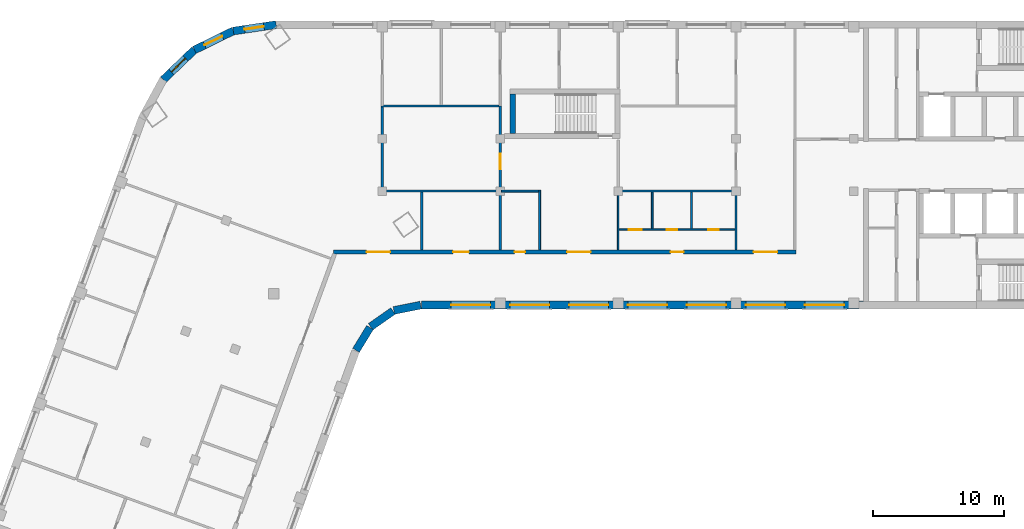
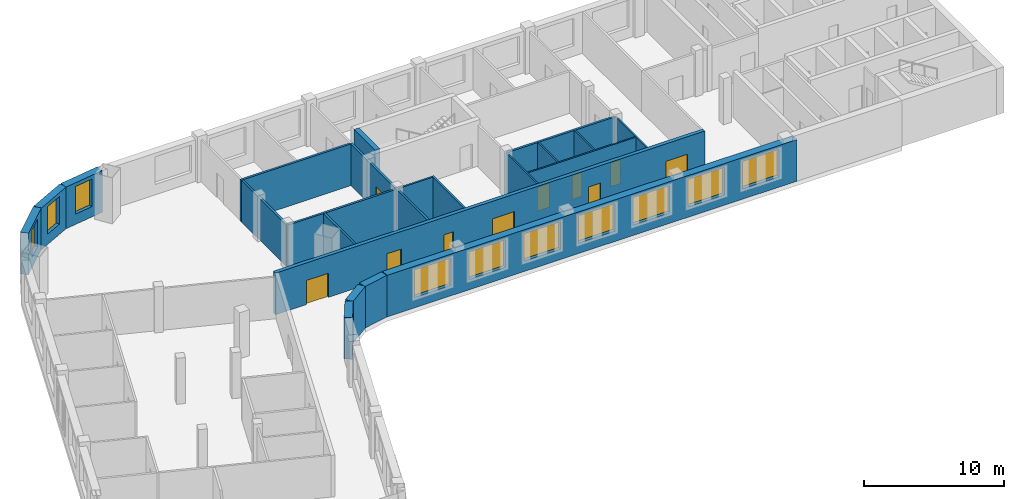
# One storey, part 4 of 8: 22 walls, 10 doors, 10 windows, 20 openings.
"""IFC4 building model written with IfcOpenShell, lengths in metres."""

import ifcopenshell
import ifcopenshell.guid

model = None  # the IFC model being written
_history = None  # IfcOwnerHistory: only IFC2X3 demands one
_inside = {}  # id of a spatial element -> (the spatial element, [elements in it])
_under = {}  # id of a project, library or spatial element -> (it, [spatial elements below it])
_declared = {}  # id of a project -> (the project, [libraries it declares])
_typed = {}  # id of a type object -> (the type object, [elements of that type])
_made_of = {}  # id of a material, layer set ... -> (it, [elements and type objects made of it])


def new_model(schema):
    """Start an empty IFC model of exactly this schema.

    Asked for "IFC4X3", IfcOpenShell would pick the latest addendum, in which some entities
    have other attributes; the version numbers below select the first issue.
    IFC2X3 requires an IfcOwnerHistory on every rooted entity: one is made here for all.
    """
    global model, _history
    if schema == "IFC4X3":
        model = ifcopenshell.file(schema_version=(4, 3, 0, 0))
    else:
        model = ifcopenshell.file(schema=schema)
    _inside.clear()
    _under.clear()
    _declared.clear()
    _typed.clear()
    _made_of.clear()
    _history = None
    if model.schema == "IFC2X3":
        org = make("IfcOrganization", Name="unknown")
        user = make(
            "IfcPersonAndOrganization",
            ThePerson=make("IfcPerson", FamilyName="unknown"),
            TheOrganization=org,
        )
        app = make(
            "IfcApplication",
            ApplicationDeveloper=org,
            Version="unknown",
            ApplicationFullName="unknown",
            ApplicationIdentifier="unknown",
        )
        _history = make(
            "IfcOwnerHistory",
            OwningUser=user,
            OwningApplication=app,
            ChangeAction="ADDED",
            CreationDate=0,
        )
    return model


def make(cls, **values):
    """One entity of the class cls with the attributes given. An attribute that is None is left unset."""
    return model.create_entity(
        cls, **{name: value for name, value in values.items() if value is not None}
    )


def rooted(cls, **values):
    """An entity with a GlobalId (a new one), such as an element, a storey or a relation."""
    return make(cls, GlobalId=ifcopenshell.guid.new(), OwnerHistory=_history, **values)


def si_unit(unit_type, name, prefix=None):
    """IfcSIUnit, for example si_unit("LENGTHUNIT", "METRE", prefix="MILLI")."""
    return make("IfcSIUnit", UnitType=unit_type, Prefix=prefix, Name=name)


def assignment(units):
    """IfcUnitAssignment: the units of a project."""
    return None if units is None else make("IfcUnitAssignment", Units=units)


def point(xyz):
    """IfcCartesianPoint."""
    return None if xyz is None else make("IfcCartesianPoint", Coordinates=xyz)


def direction(xyz):
    """IfcDirection."""
    return None if xyz is None else make("IfcDirection", DirectionRatios=xyz)


def frame(location, z_axis=None, x_axis=None):
    """IfcAxis2Placement3D, a coordinate frame: its origin and axes. An axis left out is left unset."""
    return make(
        "IfcAxis2Placement3D",
        Location=point(location),
        Axis=direction(z_axis),
        RefDirection=direction(x_axis),
    )


def frame_2d(location, x_axis=None):
    """IfcAxis2Placement2D, a coordinate frame in the plane: its origin and x axis."""
    return make(
        "IfcAxis2Placement2D", Location=point(location), RefDirection=direction(x_axis)
    )


def origin():
    """The frame at (0, 0, 0) with its axes left unset."""
    return frame((0.0, 0.0, 0.0))


def place(relative_to, where):
    """IfcLocalPlacement: puts the frame where relative to a parent placement (None: the world)."""
    return make(
        "IfcLocalPlacement", PlacementRelTo=relative_to, RelativePlacement=where
    )


def context(
    kind, dimensions, precision=None, world=None, true_north=None, identifier=None
):
    """IfcGeometricRepresentationContext, for example the 3D "Model" context."""
    return make(
        "IfcGeometricRepresentationContext",
        ContextIdentifier=identifier,
        ContextType=kind,
        CoordinateSpaceDimension=dimensions,
        Precision=precision,
        WorldCoordinateSystem=world,
        TrueNorth=true_north,
    )


def subcontext(parent, identifier, kind, view, scale=None):
    """IfcGeometricRepresentationSubContext, for example "Body" below "Model"."""
    return make(
        "IfcGeometricRepresentationSubContext",
        ContextIdentifier=identifier,
        ContextType=kind,
        ParentContext=parent,
        TargetScale=scale,
        TargetView=view,
    )


def project(units=None, contexts=None):
    """IfcProject with its units and contexts."""
    return rooted(
        "IfcProject",
        Name="project",
        RepresentationContexts=contexts,
        UnitsInContext=assignment(units),
    )


def spatial(cls, under=None, at=None, **own):
    """A site, building, storey or space (cls), placed at a placement, below another one or the project."""
    s = rooted(cls, ObjectPlacement=at, **own)
    if under is not None:
        _under.setdefault(under.id(), (under, []))[1].append(s)
    return s


def profile(cls, at=None, kind="AREA", **sizes):
    """A parametric profile (cls). Its sizes go by their IFC names, for example OverallWidth=200.0."""
    return make(cls, ProfileType=kind, Position=at, **sizes)


def rectangle(**sizes):
    """IfcRectangleProfileDef."""
    return profile("IfcRectangleProfileDef", **sizes)


def extrude(swept, where, along, depth):
    """IfcExtrudedAreaSolid: the profile swept, set in the frame where, extruded along a direction by depth."""
    return make(
        "IfcExtrudedAreaSolid",
        SweptArea=swept,
        Position=where,
        ExtrudedDirection=direction(along),
        Depth=depth,
    )


def shape(context_of_items, identifier, shape_type, items):
    """IfcShapeRepresentation: the items that make up one representation, for example the "Body"."""
    return make(
        "IfcShapeRepresentation",
        ContextOfItems=context_of_items,
        RepresentationIdentifier=identifier,
        RepresentationType=shape_type,
        Items=items,
    )


def material(Name=None, Category=None):
    """IfcMaterial."""
    return make("IfcMaterial", Name=Name, Category=Category)


def layer(
    of_material, thickness, ventilated=None, Name=None, Category=None, Priority=None
):
    """IfcMaterialLayer: one layer of a wall or slab, of a material (None: an air gap)."""
    return make(
        "IfcMaterialLayer",
        Material=of_material,
        LayerThickness=thickness,
        IsVentilated=ventilated,
        Name=Name,
        Category=Category,
        Priority=Priority,
    )


def layer_set(layers, Name=None):
    """IfcMaterialLayerSet."""
    return make("IfcMaterialLayerSet", MaterialLayers=layers, LayerSetName=Name)


def made_of(thing, what):
    """Note that an element or type object is made of a material, layer set ...; save() writes the relation."""
    if what is not None:
        _made_of.setdefault(what.id(), (what, []))[1].append(thing)
    return thing


def type_object(cls, material=None, **own):
    """A type object (cls), such as IfcWallType, which elements share."""
    return made_of(rooted(cls, **own), material)


def element(
    cls,
    number,
    at=None,
    inside=None,
    cuts=None,
    type_object=None,
    material=None,
    context=None,
    identifier="Body",
    shape_type=None,
    held_by="IfcProductDefinitionShape",
    body=None,
    shapes=None,
    **own,
):
    """One element of the class cls, such as IfcWall. Its Tag is "e" and its number.

    at: its placement. inside: the storey or other place that contains it. cuts: it is an
    opening in that element (IfcRelVoidsElement). A single representation is given by context,
    identifier, shape_type and body (its items); several are given by shapes. held_by: the class
    of the entity that holds the representations. save() writes the other relations.
    """
    e = rooted(cls, Tag="e%d" % number, ObjectPlacement=at, **own)
    if body is not None:
        shapes = [shape(context, identifier, shape_type, body)]
    if shapes is not None:
        e.Representation = make(held_by, Representations=shapes)
    if inside is not None:
        _inside.setdefault(inside.id(), (inside, []))[1].append(e)
    if cuts is not None:
        rooted(
            "IfcRelVoidsElement", RelatingBuildingElement=cuts, RelatedOpeningElement=e
        )
    if type_object is not None:
        _typed.setdefault(type_object.id(), (type_object, []))[1].append(e)
    return made_of(e, material)


def fill(opening, filler):
    """IfcRelFillsElement: the door or window that sits in an opening."""
    return rooted(
        "IfcRelFillsElement",
        RelatingOpeningElement=opening,
        RelatedBuildingElement=filler,
    )


def aggregate(whole, parts):
    """IfcRelAggregates: a whole, such as a stair, and the parts it consists of."""
    return rooted("IfcRelAggregates", RelatingObject=whole, RelatedObjects=parts)


def save(model, path):
    """Write the relations noted so far, then the file.

    IfcRelAggregates (storeys below a building ...), IfcRelContainedInSpatialStructure (elements
    in a storey), IfcRelDefinesByType, IfcRelAssociatesMaterial and IfcRelDeclares: one each for
    every whole, place, type object, material and project.
    """
    for whole, parts in _under.values():
        aggregate(whole, parts)
    for where, things in _inside.values():
        rooted(
            "IfcRelContainedInSpatialStructure",
            RelatedElements=things,
            RelatingStructure=where,
        )
    for kind, things in _typed.values():
        rooted("IfcRelDefinesByType", RelatedObjects=things, RelatingType=kind)
    for what, things in _made_of.values():
        rooted("IfcRelAssociatesMaterial", RelatedObjects=things, RelatingMaterial=what)
    for by, libraries in _declared.values():
        rooted("IfcRelDeclares", RelatingContext=by, RelatedDefinitions=libraries)
    model.write(path)


model = new_model("IFC4")

# Units and contexts
model_context = context("Model", 3, precision=1e-05, world=origin(), true_north=direction((0.0, 1.0)))
body_context = subcontext(model_context, "Body", "Model", "MODEL_VIEW")
ifc_project = project(units=[si_unit("LENGTHUNIT", "METRE"), si_unit("AREAUNIT", "SQUARE_METRE"), si_unit("VOLUMEUNIT", "CUBIC_METRE"), si_unit("PLANEANGLEUNIT", "RADIAN"), si_unit("MASSUNIT", "GRAM", prefix="KILO")], contexts=[model_context])

# Site, building, storey
site_placement = place(None, origin())
site = spatial("IfcSite", under=ifc_project, at=site_placement, CompositionType="ELEMENT")
building_placement = place(site_placement, origin())
building = spatial("IfcBuilding", under=site, at=building_placement, Name="Skarvind Civic Tower", CompositionType="ELEMENT")
storey_placement = place(building_placement, frame((0.0, 0.0, 146.5)))
storey = spatial("IfcBuildingStorey", under=building, at=storey_placement, Name="L34", CompositionType="ELEMENT", Elevation=146.5)

# Walls
ifc_material_1 = material(Name="Acoustic gypsum board on steel studs", Category="steel")
ifc_layer_1 = layer(ifc_material_1, 0.175048828125)
ifc_layer_set_1 = layer_set([ifc_layer_1], Name="ACOUSTIC MEETING-ROOM PARTITION 175")
wall_type_1 = type_object("IfcWallType", Name="ACOUSTIC MEETING-ROOM PARTITION 175", PredefinedType="PARTITIONING", material=ifc_layer_set_1)
wall_1_placement = place(storey_placement, frame((54.25, 126.001953125, 0.0), z_axis=(0.0, 0.0, 1.0), x_axis=(0.0, 1.0, 0.0)))
element("IfcWall", 1, at=wall_1_placement, inside=storey, type_object=wall_type_1, Name="Partition 34.020", PredefinedType="PARTITIONING", context=body_context, shape_type="SweptSolid", body=[
    extrude(rectangle(XDim=6.41015625, YDim=0.175048828125, at=frame_2d((3.205078125, 0.0))), origin(), (0.0, 0.0, 1.0), 3.625),
])
wall_2_placement = place(storey_placement, frame((54.251953125, 126.0, 0.0), z_axis=(0.0, 0.0, 1.0), x_axis=(1.0, 0.0, 0.0)))
element("IfcWall", 2, at=wall_2_placement, inside=storey, type_object=wall_type_1, Name="Partition 34.022", PredefinedType="PARTITIONING", context=body_context, shape_type="SweptSolid", body=[
    extrude(rectangle(XDim=8.91015625, YDim=0.175048828125, at=frame_2d((4.455078125, 0.0))), origin(), (0.0, 0.0, 1.0), 3.625),
])
wall_3_placement = place(storey_placement, frame((57.25, 125.912109375, 0.0), z_axis=(0.0, 0.0, 1.0), x_axis=(0.0, -1.0, 0.0)))
element("IfcWall", 3, at=wall_3_placement, inside=storey, type_object=wall_type_1, Name="Partition 34.023", PredefinedType="PARTITIONING", context=body_context, shape_type="SweptSolid", body=[
    extrude(rectangle(XDim=4.4111328125, YDim=0.175048828125, at=frame_2d((2.20556640625, 0.0))), origin(), (0.0, 0.0, 1.0), 3.625),
])
wall_4_placement = place(storey_placement, frame((63.162109375, 132.5, 0.0), z_axis=(0.0, 0.0, 1.0), x_axis=(-1.0, 0.0, 0.0)))
element("IfcWall", 4, at=wall_4_placement, inside=storey, type_object=wall_type_1, Name="Partition 34.025", PredefinedType="PARTITIONING", context=body_context, shape_type="SweptSolid", body=[
    extrude(rectangle(XDim=9.0, YDim=0.175048828125, at=frame_2d((4.5, 0.0))), origin(), (0.0, 0.0, 1.0), 3.625),
])

# Wall, opening, door
wall_5_placement = place(storey_placement, frame((63.25, 132.5, 0.0), z_axis=(0.0, 0.0, 1.0), x_axis=(0.0, -1.0, 0.0)))
wall_5 = element("IfcWall", 5, at=wall_5_placement, inside=storey, type_object=wall_type_1, Name="Partition 34.026", PredefinedType="PARTITIONING", context=body_context, shape_type="SweptSolid", body=[
    extrude(rectangle(XDim=11.0, YDim=0.175048828125, at=frame_2d((5.5, 0.0))), origin(), (0.0, 0.0, 1.0), 3.625),
])
opening_1_placement = place(wall_5_placement, frame((3.64990234375, 0.0, 0.0)))
opening_1 = element("IfcOpeningElement", 6, at=opening_1_placement, cuts=wall_5, Name="Opening L34-D026", PredefinedType="OPENING", context=body_context, shape_type="SweptSolid", body=[
    extrude(rectangle(XDim=1.199951171875, YDim=2.10009765625, at=frame_2d((0.60009765625, 1.050048828125))), frame((0.0, 0.097412109375, 0.0), z_axis=(0.0, -1.0, 0.0), x_axis=(1.0, 0.0, 0.0)), (0.0, 0.0, 1.0), 0.195068359375),
])
ifc_material_2 = material(Name="Timber door leaf", Category="wood")
door_type_1 = type_object("IfcDoorType", Name="DOOR 1200X2100 DOUBLE TIMBER", OperationType="NOTDEFINED", PredefinedType="DOOR", material=ifc_material_2)
door_1_placement = place(opening_1_placement, origin())
door_1 = element("IfcDoor", 7, at=door_1_placement, inside=storey, type_object=door_type_1, Name="Door L34-D026", OperationType="DOUBLE_DOOR_SINGLE_SWING", OverallHeight=2.10009765625, OverallWidth=1.199951171875, PredefinedType="DOOR", context=body_context, shape_type="SweptSolid", body=[
    extrude(rectangle(XDim=1.199951171875, YDim=2.10009765625, at=frame_2d((0.60009765625, 1.050048828125))), frame((0.0, 0.02490234375, 0.0), z_axis=(0.0, -1.0, 0.0), x_axis=(1.0, 0.0, 0.0)), (0.0, 0.0, 1.0), 0.050048828125),
])
fill(opening_1, door_1)

# Wall
wall_6_placement = place(storey_placement, frame((72.337890625, 126.0, 0.0), z_axis=(0.0, 0.0, 1.0), x_axis=(1.0, 0.0, 0.0)))
element("IfcWall", 8, at=wall_6_placement, inside=storey, type_object=wall_type_1, Name="Partition 34.033", PredefinedType="PARTITIONING", context=body_context, shape_type="SweptSolid", body=[
    extrude(rectangle(XDim=8.82421875, YDim=0.175048828125, at=frame_2d((4.412109375, 0.0))), origin(), (0.0, 0.0, 1.0), 3.625),
])

# Wall, openings, doors
ifc_material_3 = material(Name="Fire-rated gypsum board on steel studs", Category="steel")
ifc_layer_2 = layer(ifc_material_3, 0.300048828125)
ifc_layer_set_2 = layer_set([ifc_layer_2], Name="CORRIDOR WALL 300")
wall_type_2 = type_object("IfcWallType", Name="CORRIDOR WALL 300", PredefinedType="PARTITIONING", material=ifc_layer_set_2)
wall_7_placement = place(storey_placement, frame((50.506103515625, 121.35009765625, 0.0), z_axis=(0.0, 0.0, 1.0), x_axis=(1.0, 0.0, 0.0)))
wall_7 = element("IfcWall", 9, at=wall_7_placement, inside=storey, type_object=wall_type_2, Name="Partition 34.019", PredefinedType="PARTITIONING", context=body_context, shape_type="SweptSolid", body=[
    extrude(rectangle(XDim=35.31884765625, YDim=0.300048828125, at=frame_2d((17.659423828125, 0.0))), origin(), (0.0, 0.0, 1.0), 3.625),
])
opening_2_placement = place(wall_7_placement, frame((25.743896484375, 0.0, 0.0)))
opening_2 = element("IfcOpeningElement", 10, at=opening_2_placement, cuts=wall_7, Name="Opening L34-D002", PredefinedType="OPENING", context=body_context, shape_type="SweptSolid", body=[
    extrude(rectangle(XDim=1.0, YDim=2.10009765625, at=frame_2d((0.5, 1.050048828125))), frame((0.0, 0.159912109375, 0.0), z_axis=(0.0, -1.0, 0.0), x_axis=(1.0, 0.0, 0.0)), (0.0, 0.0, 1.0), 0.320068359375),
])
opening_3_placement = place(wall_7_placement, frame((32.093994140625, 0.0, 0.0)))
opening_3 = element("IfcOpeningElement", 11, at=opening_3_placement, cuts=wall_7, Name="Opening L34-D008", PredefinedType="OPENING", context=body_context, shape_type="SweptSolid", body=[
    extrude(rectangle(XDim=1.800048828125, YDim=2.10009765625, at=frame_2d((0.89990234375, 1.050048828125))), frame((0.0, 0.159912109375, 0.0), z_axis=(0.0, -1.0, 0.0), x_axis=(1.0, 0.0, 0.0)), (0.0, 0.0, 1.0), 0.320068359375),
])
opening_4_placement = place(wall_7_placement, frame((13.843994140625, 0.0, 0.0)))
opening_4 = element("IfcOpeningElement", 12, at=opening_4_placement, cuts=wall_7, Name="Opening L34-D009", PredefinedType="OPENING", context=body_context, shape_type="SweptSolid", body=[
    extrude(rectangle(XDim=0.800048828125, YDim=2.10009765625, at=frame_2d((0.39990234375, 1.050048828125))), frame((0.0, 0.159912109375, 0.0), z_axis=(0.0, -1.0, 0.0), x_axis=(1.0, 0.0, 0.0)), (0.0, 0.0, 1.0), 0.320068359375),
])
opening_5_placement = place(wall_7_placement, frame((9.14404296875, 0.0, 0.0)))
opening_5 = element("IfcOpeningElement", 13, at=opening_5_placement, cuts=wall_7, Name="Opening L34-D010", PredefinedType="OPENING", context=body_context, shape_type="SweptSolid", body=[
    extrude(rectangle(XDim=1.199951171875, YDim=2.10009765625, at=frame_2d((0.60009765625, 1.050048828125))), frame((0.0, 0.159912109375, 0.0), z_axis=(0.0, -1.0, 0.0), x_axis=(1.0, 0.0, 0.0)), (0.0, 0.0, 1.0), 0.320068359375),
])
opening_6_placement = place(wall_7_placement, frame((17.843994140625, 0.0, 0.0)))
opening_6 = element("IfcOpeningElement", 14, at=opening_6_placement, cuts=wall_7, Name="Opening L34-D014", PredefinedType="OPENING", context=body_context, shape_type="SweptSolid", body=[
    extrude(rectangle(XDim=1.800048828125, YDim=2.10009765625, at=frame_2d((0.89990234375, 1.050048828125))), frame((0.0, 0.159912109375, 0.0), z_axis=(0.0, -1.0, 0.0), x_axis=(1.0, 0.0, 0.0)), (0.0, 0.0, 1.0), 0.320068359375),
])
opening_7_placement = place(wall_7_placement, frame((2.54296875, 0.0, 0.0)))
opening_7 = element("IfcOpeningElement", 15, at=opening_7_placement, cuts=wall_7, Name="Opening L34-D024", PredefinedType="OPENING", context=body_context, shape_type="SweptSolid", body=[
    extrude(rectangle(XDim=1.800048828125, YDim=2.10009765625, at=frame_2d((0.89990234375, 1.050048828125))), frame((0.0, 0.159912109375, 0.0), z_axis=(0.0, -1.0, 0.0), x_axis=(1.0, 0.0, 0.0)), (0.0, 0.0, 1.0), 0.320068359375),
])
ifc_material_4 = material(Name="Fire-rated timber door leaf", Category="wood")
door_type_2 = type_object("IfcDoorType", Name="FD1 1000x2100", OperationType="NOTDEFINED", PredefinedType="DOOR", material=ifc_material_4)
door_2_placement = place(opening_2_placement, origin())
door_2 = element("IfcDoor", 16, at=door_2_placement, inside=storey, type_object=door_type_2, Name="Door L34-D002", OperationType="SINGLE_SWING_LEFT", OverallHeight=2.10009765625, OverallWidth=1.0, PredefinedType="DOOR", context=body_context, shape_type="SweptSolid", body=[
    extrude(rectangle(XDim=1.0, YDim=2.10009765625, at=frame_2d((0.5, 1.050048828125))), frame((0.0, 0.02490234375, 0.0), z_axis=(0.0, -1.0, 0.0), x_axis=(1.0, 0.0, 0.0)), (0.0, 0.0, 1.0), 0.050048828125),
])
fill(opening_2, door_2)
door_type_3 = type_object("IfcDoorType", Name="FD4 1800x2100", OperationType="NOTDEFINED", PredefinedType="DOOR", material=ifc_material_4)
door_3_placement = place(opening_3_placement, origin())
door_3 = element("IfcDoor", 17, at=door_3_placement, inside=storey, type_object=door_type_3, Name="Door L34-D008", OperationType="DOUBLE_DOOR_SINGLE_SWING", OverallHeight=2.10009765625, OverallWidth=1.800048828125, PredefinedType="DOOR", context=body_context, shape_type="SweptSolid", body=[
    extrude(rectangle(XDim=1.800048828125, YDim=2.10009765625, at=frame_2d((0.89990234375, 1.050048828125))), frame((0.0, 0.02490234375, 0.0), z_axis=(0.0, -1.0, 0.0), x_axis=(1.0, 0.0, 0.0)), (0.0, 0.0, 1.0), 0.050048828125),
])
fill(opening_3, door_3)
door_4_placement = place(opening_6_placement, origin())
door_4 = element("IfcDoor", 18, at=door_4_placement, inside=storey, type_object=door_type_3, Name="Door L34-D014", OperationType="DOUBLE_DOOR_SINGLE_SWING", OverallHeight=2.10009765625, OverallWidth=1.800048828125, PredefinedType="DOOR", context=body_context, shape_type="SweptSolid", body=[
    extrude(rectangle(XDim=1.800048828125, YDim=2.10009765625, at=frame_2d((0.89990234375, 1.050048828125))), frame((0.0, 0.02490234375, 0.0), z_axis=(0.0, -1.0, 0.0), x_axis=(1.0, 0.0, 0.0)), (0.0, 0.0, 1.0), 0.050048828125),
])
fill(opening_6, door_4)
door_5_placement = place(opening_7_placement, origin())
door_5 = element("IfcDoor", 19, at=door_5_placement, inside=storey, type_object=door_type_3, Name="Door L34-D024", OperationType="DOUBLE_DOOR_SINGLE_SWING", OverallHeight=2.10009765625, OverallWidth=1.800048828125, PredefinedType="DOOR", context=body_context, shape_type="SweptSolid", body=[
    extrude(rectangle(XDim=1.800048828125, YDim=2.10009765625, at=frame_2d((0.89990234375, 1.050048828125))), frame((0.0, 0.02490234375, 0.0), z_axis=(0.0, -1.0, 0.0), x_axis=(1.0, 0.0, 0.0)), (0.0, 0.0, 1.0), 0.050048828125),
])
fill(opening_7, door_5)
door_type_4 = type_object("IfcDoorType", Name="FD5 800x2100", OperationType="NOTDEFINED", PredefinedType="DOOR", material=ifc_material_4)
door_6_placement = place(opening_4_placement, origin())
door_6 = element("IfcDoor", 20, at=door_6_placement, inside=storey, type_object=door_type_4, Name="Door L34-D009", OperationType="SINGLE_SWING_LEFT", OverallHeight=2.10009765625, OverallWidth=0.800048828125, PredefinedType="DOOR", context=body_context, shape_type="SweptSolid", body=[
    extrude(rectangle(XDim=0.800048828125, YDim=2.10009765625, at=frame_2d((0.39990234375, 1.050048828125))), frame((0.0, 0.02490234375, 0.0), z_axis=(0.0, -1.0, 0.0), x_axis=(1.0, 0.0, 0.0)), (0.0, 0.0, 1.0), 0.050048828125),
])
fill(opening_4, door_6)
door_type_5 = type_object("IfcDoorType", Name="FD6 1200x2100 DOUBLE", OperationType="NOTDEFINED", PredefinedType="DOOR", material=ifc_material_4)
door_7_placement = place(opening_5_placement, origin())
door_7 = element("IfcDoor", 21, at=door_7_placement, inside=storey, type_object=door_type_5, Name="Door L34-D010", OperationType="DOUBLE_DOOR_SINGLE_SWING", OverallHeight=2.10009765625, OverallWidth=1.199951171875, PredefinedType="DOOR", context=body_context, shape_type="SweptSolid", body=[
    extrude(rectangle(XDim=1.199951171875, YDim=2.10009765625, at=frame_2d((0.60009765625, 1.050048828125))), frame((0.0, 0.02490234375, 0.0), z_axis=(0.0, -1.0, 0.0), x_axis=(1.0, 0.0, 0.0)), (0.0, 0.0, 1.0), 0.050048828125),
])
fill(opening_5, door_7)

# Walls
ifc_material_5 = material(Name="Concrete C60", Category="concrete")
ifc_layer_3 = layer(ifc_material_5, 0.39990234375)
ifc_layer_set_3 = layer_set([ifc_layer_3], Name="Core wall 400 C60")
wall_type_3 = type_object("IfcWallType", Name="Core wall 400 C60", PredefinedType="SHEAR", material=ifc_layer_set_3)
wall_8_placement = place(storey_placement, frame((64.199951171875, 130.39990234375, 0.0), z_axis=(0.0, 0.0, 1.0), x_axis=(0.0, 1.0, 0.0)))
element("IfcWall", 22, at=wall_8_placement, inside=storey, type_object=wall_type_3, Name="Core wall CM west L34", PredefinedType="SHEAR", context=body_context, shape_type="SweptSolid", body=[
    extrude(rectangle(XDim=3.0, YDim=0.39990234375, at=frame_2d((1.5, 0.0))), origin(), (0.0, 0.0, 1.0), 4.0),
])
ifc_material_6 = material(Name="Plasterboard partition on steel studs", Category="steel")
ifc_layer_4 = layer(ifc_material_6, 0.14990234375)
ifc_layer_set_4 = layer_set([ifc_layer_4], Name="PARTITION 150")
wall_type_4 = type_object("IfcWallType", Name="PARTITION 150", PredefinedType="PARTITIONING", material=ifc_layer_set_4)
wall_9_placement = place(storey_placement, frame((66.25, 121.5, 0.0), z_axis=(0.0, 0.0, 1.0), x_axis=(0.0, 1.0, 0.0)))
element("IfcWall", 23, at=wall_9_placement, inside=storey, type_object=wall_type_4, Name="Partition 34.028", PredefinedType="PARTITIONING", context=body_context, shape_type="SweptSolid", body=[
    extrude(rectangle(XDim=4.574951171875, YDim=0.14990234375, at=frame_2d((2.28759765625, 0.0))), origin(), (0.0, 0.0, 1.0), 3.625),
])
wall_10_placement = place(storey_placement, frame((66.175048828125, 126.0, 0.0), z_axis=(0.0, 0.0, 1.0), x_axis=(-1.0, 0.0, 0.0)))
element("IfcWall", 24, at=wall_10_placement, inside=storey, type_object=wall_type_4, Name="Partition 34.029", PredefinedType="PARTITIONING", context=body_context, shape_type="SweptSolid", body=[
    extrude(rectangle(XDim=2.837158203125, YDim=0.14990234375, at=frame_2d((1.41845703125, 0.0))), origin(), (0.0, 0.0, 1.0), 3.625),
])
ifc_material_7 = material(Name="Moisture-resistant gypsum board on steel studs", Category="steel")
ifc_layer_5 = layer(ifc_material_7, 0.125)
ifc_layer_set_5 = layer_set([ifc_layer_5], Name="WC PARTITION 125")
wall_type_5 = type_object("IfcWallType", Name="WC PARTITION 125", PredefinedType="PARTITIONING", material=ifc_layer_set_5)
wall_11_placement = place(storey_placement, frame((72.25, 121.5, 0.0), z_axis=(0.0, 0.0, 1.0), x_axis=(0.0, 1.0, 0.0)))
element("IfcWall", 25, at=wall_11_placement, inside=storey, type_object=wall_type_5, Name="Partition 34.031", PredefinedType="PARTITIONING", context=body_context, shape_type="SweptSolid", body=[
    extrude(rectangle(XDim=4.5, YDim=0.125, at=frame_2d((2.25, 0.0))), origin(), (0.0, 0.0, 1.0), 3.625),
])

# Wall, openings, doors
wall_12_placement = place(storey_placement, frame((72.31201171875, 123.050048828125, 0.0), z_axis=(0.0, 0.0, 1.0), x_axis=(1.0, 0.0, 0.0)))
wall_12 = element("IfcWall", 26, at=wall_12_placement, inside=storey, type_object=wall_type_5, Name="Partition 34.032", PredefinedType="PARTITIONING", context=body_context, shape_type="SweptSolid", body=[
    extrude(rectangle(XDim=8.8759765625, YDim=0.125, at=frame_2d((4.43798828125, 0.0))), origin(), (0.0, 0.0, 1.0), 3.625),
])
opening_8_placement = place(wall_12_placement, frame((6.81689453125, 0.0, 0.0)))
opening_8 = element("IfcOpeningElement", 27, at=opening_8_placement, cuts=wall_12, Name="Opening L34-D003", PredefinedType="OPENING", context=body_context, shape_type="SweptSolid", body=[
    extrude(rectangle(XDim=0.800048828125, YDim=2.10009765625, at=frame_2d((0.39990234375, 1.050048828125))), frame((0.0, 0.072509765625, 0.0), z_axis=(0.0, -1.0, 0.0), x_axis=(1.0, 0.0, 0.0)), (0.0, 0.0, 1.0), 0.14501953125),
])
opening_9_placement = place(wall_12_placement, frame((3.637939453125, 0.0, 0.0)))
opening_9 = element("IfcOpeningElement", 28, at=opening_9_placement, cuts=wall_12, Name="Opening L34-D004", PredefinedType="OPENING", context=body_context, shape_type="SweptSolid", body=[
    extrude(rectangle(XDim=0.800048828125, YDim=2.10009765625, at=frame_2d((0.39990234375, 1.050048828125))), frame((0.0, 0.072509765625, 0.0), z_axis=(0.0, -1.0, 0.0), x_axis=(1.0, 0.0, 0.0)), (0.0, 0.0, 1.0), 0.14501953125),
])
opening_10_placement = place(wall_12_placement, frame((0.759033203125, 0.0, 0.0)))
opening_10 = element("IfcOpeningElement", 29, at=opening_10_placement, cuts=wall_12, Name="Opening L34-D005", PredefinedType="OPENING", context=body_context, shape_type="SweptSolid", body=[
    extrude(rectangle(XDim=1.0, YDim=2.10009765625, at=frame_2d((0.5, 1.050048828125))), frame((0.0, 0.072509765625, 0.0), z_axis=(0.0, -1.0, 0.0), x_axis=(1.0, 0.0, 0.0)), (0.0, 0.0, 1.0), 0.14501953125),
])
door_type_6 = type_object("IfcDoorType", Name="D1 1000x2100", OperationType="NOTDEFINED", PredefinedType="DOOR", material=ifc_material_2)
door_8_placement = place(opening_10_placement, origin())
door_8 = element("IfcDoor", 30, at=door_8_placement, inside=storey, type_object=door_type_6, Name="Door L34-D005", OperationType="SINGLE_SWING_LEFT", OverallHeight=2.10009765625, OverallWidth=1.0, PredefinedType="DOOR", context=body_context, shape_type="SweptSolid", body=[
    extrude(rectangle(XDim=1.0, YDim=2.10009765625, at=frame_2d((0.5, 1.050048828125))), frame((0.0, 0.02490234375, 0.0), z_axis=(0.0, -1.0, 0.0), x_axis=(1.0, 0.0, 0.0)), (0.0, 0.0, 1.0), 0.050048828125),
])
fill(opening_10, door_8)
door_type_7 = type_object("IfcDoorType", Name="DOOR 800X2100 TIMBER", OperationType="NOTDEFINED", PredefinedType="DOOR", material=ifc_material_2)
door_9_placement = place(opening_8_placement, origin())
door_9 = element("IfcDoor", 31, at=door_9_placement, inside=storey, type_object=door_type_7, Name="Door L34-D003", OperationType="SINGLE_SWING_RIGHT", OverallHeight=2.10009765625, OverallWidth=0.800048828125, PredefinedType="DOOR", context=body_context, shape_type="SweptSolid", body=[
    extrude(rectangle(XDim=0.800048828125, YDim=2.10009765625, at=frame_2d((0.39990234375, 1.050048828125))), frame((0.0, 0.02490234375, 0.0), z_axis=(0.0, -1.0, 0.0), x_axis=(1.0, 0.0, 0.0)), (0.0, 0.0, 1.0), 0.050048828125),
])
fill(opening_8, door_9)
door_10_placement = place(opening_9_placement, origin())
door_10 = element("IfcDoor", 32, at=door_10_placement, inside=storey, type_object=door_type_7, Name="Door L34-D004", OperationType="SINGLE_SWING_LEFT", OverallHeight=2.10009765625, OverallWidth=0.800048828125, PredefinedType="DOOR", context=body_context, shape_type="SweptSolid", body=[
    extrude(rectangle(XDim=0.800048828125, YDim=2.10009765625, at=frame_2d((0.39990234375, 1.050048828125))), frame((0.0, 0.02490234375, 0.0), z_axis=(0.0, -1.0, 0.0), x_axis=(1.0, 0.0, 0.0)), (0.0, 0.0, 1.0), 0.050048828125),
])
fill(opening_9, door_10)

# Walls
for number, where, z_axis, x_axis, name in (
    (33, (74.85009765625, 125.912109375, 0.0), (0.0, 0.0, 1.0), (0.0, -1.0, 0.0), "Partition 34.036"),
    (34, (77.85009765625, 125.912109375, 0.0), (0.0, 0.0, 1.0), (0.0, -1.0, 0.0), "Partition 34.038"),
):
    element("IfcWall", number, at=place(storey_placement, frame(where, z_axis=z_axis, x_axis=x_axis)), inside=storey, type_object=wall_type_5, Name=name, PredefinedType="PARTITIONING", context=body_context, shape_type="SweptSolid", body=[
        extrude(rectangle(XDim=2.800048828125, YDim=0.125, at=frame_2d((1.39990234375, 0.0))), origin(), (0.0, 0.0, 1.0), 3.625),
    ])
wall_13_placement = place(storey_placement, frame((81.25, 121.5, 0.0), z_axis=(0.0, 0.0, 1.0), x_axis=(0.0, 1.0, 0.0)))
element("IfcWall", 35, at=wall_13_placement, inside=storey, type_object=wall_type_5, Name="Partition 34.039", PredefinedType="PARTITIONING", context=body_context, shape_type="SweptSolid", body=[
    extrude(rectangle(XDim=4.5, YDim=0.125, at=frame_2d((2.25, 0.0))), origin(), (0.0, 0.0, 1.0), 3.625),
])
ifc_material_8 = material(Name="Limestone masonry cladding on insulated backing", Category="masonry")
ifc_layer_6 = layer(ifc_material_8, 0.60009765625)
ifc_layer_set_6 = layer_set([ifc_layer_6], Name="WX1 STONE FACADE WALL 600")
wall_type_6 = type_object("IfcWallType", Name="WX1 STONE FACADE WALL 600", PredefinedType="SOLIDWALL", material=ifc_layer_set_6)
wall_14_placement = place(storey_placement, frame((53.30517578125, 115.578369140625, 0.0), z_axis=(0.0, 0.0, 1.0), x_axis=(-0.522402266438, -0.852699168535, 0.0)))
element("IfcWall", 36, at=wall_14_placement, inside=storey, type_object=wall_type_6, Name="STONE FACADE WALL", PredefinedType="SOLIDWALL", context=body_context, shape_type="SweptSolid", body=[
    extrude(rectangle(XDim=2.042236328125, YDim=0.60009765625, at=frame_2d((1.02099609375, 0.0))), origin(), (0.0, 0.0, 1.0), 3.625),
])
for number, where, z_axis, x_axis, name in (
    (37, (55.061767578125, 116.8388671875, 0.0), (0.0, 0.0, 1.0), (-0.819122269495, -0.573618956815, 0.0), "STONE FACADE WALL"),
    (38, (57.17529296875, 117.2939453125, 0.0), (0.0, 0.0, 1.0), (-0.97996099083, -0.19918949885, 0.0), "STONE FACADE WALL"),
):
    element("IfcWall", number, at=place(storey_placement, frame(where, z_axis=z_axis, x_axis=x_axis)), inside=storey, type_object=wall_type_6, Name=name, PredefinedType="SOLIDWALL", context=body_context, shape_type="SweptSolid", body=[
        extrude(rectangle(XDim=2.09228515625, YDim=0.60009765625, at=frame_2d((1.046142578125, 0.0))), origin(), (0.0, 0.0, 1.0), 3.625),
    ])

# Wall, openings, windows
wall_15_placement = place(storey_placement, frame((90.97998046875, 117.300048828125, 0.0), z_axis=(0.0, 0.0, 1.0), x_axis=(-1.0, 0.0, 0.0)))
wall_15 = element("IfcWall", 39, at=wall_15_placement, inside=storey, type_object=wall_type_6, Name="STONE FACADE WALL", PredefinedType="SOLIDWALL", context=body_context, shape_type="SweptSolid", body=[
    extrude(rectangle(XDim=33.744873046875, YDim=0.60009765625, at=frame_2d((16.87255859375, 0.0))), origin(), (0.0, 0.0, 1.0), 3.625),
])
opening_11_placement = place(wall_15_placement, frame((1.47998046875, 0.0, 0.89990234375)))
opening_11 = element("IfcOpeningElement", 40, at=opening_11_placement, cuts=wall_15, Name="Opening WN1", PredefinedType="OPENING", context=body_context, shape_type="SweptSolid", body=[
    extrude(rectangle(XDim=3.0, YDim=2.39990234375, at=frame_2d((1.5, 1.199951171875))), frame((0.0, 0.31005859375, 0.0), z_axis=(0.0, -1.0, 0.0), x_axis=(1.0, 0.0, 0.0)), (0.0, 0.0, 1.0), 0.6201171875),
])
opening_12_placement = place(wall_15_placement, frame((5.97998046875, 0.0, 0.89990234375)))
opening_12 = element("IfcOpeningElement", 41, at=opening_12_placement, cuts=wall_15, Name="Opening WN1", PredefinedType="OPENING", context=body_context, shape_type="SweptSolid", body=[
    extrude(rectangle(XDim=3.0, YDim=2.39990234375, at=frame_2d((1.5, 1.199951171875))), frame((0.0, 0.31005859375, 0.0), z_axis=(0.0, -1.0, 0.0), x_axis=(1.0, 0.0, 0.0)), (0.0, 0.0, 1.0), 0.6201171875),
])
opening_13_placement = place(wall_15_placement, frame((10.47998046875, 0.0, 0.89990234375)))
opening_13 = element("IfcOpeningElement", 42, at=opening_13_placement, cuts=wall_15, Name="Opening WN1", PredefinedType="OPENING", context=body_context, shape_type="SweptSolid", body=[
    extrude(rectangle(XDim=3.0, YDim=2.39990234375, at=frame_2d((1.5, 1.199951171875))), frame((0.0, 0.31005859375, 0.0), z_axis=(0.0, -1.0, 0.0), x_axis=(1.0, 0.0, 0.0)), (0.0, 0.0, 1.0), 0.6201171875),
])
opening_14_placement = place(wall_15_placement, frame((14.97998046875, 0.0, 0.89990234375)))
opening_14 = element("IfcOpeningElement", 43, at=opening_14_placement, cuts=wall_15, Name="Opening WN1", PredefinedType="OPENING", context=body_context, shape_type="SweptSolid", body=[
    extrude(rectangle(XDim=3.0, YDim=2.39990234375, at=frame_2d((1.5, 1.199951171875))), frame((0.0, 0.31005859375, 0.0), z_axis=(0.0, -1.0, 0.0), x_axis=(1.0, 0.0, 0.0)), (0.0, 0.0, 1.0), 0.6201171875),
])
opening_15_placement = place(wall_15_placement, frame((19.47998046875, 0.0, 0.89990234375)))
opening_15 = element("IfcOpeningElement", 44, at=opening_15_placement, cuts=wall_15, Name="Opening WN1", PredefinedType="OPENING", context=body_context, shape_type="SweptSolid", body=[
    extrude(rectangle(XDim=3.0, YDim=2.39990234375, at=frame_2d((1.5, 1.199951171875))), frame((0.0, 0.31005859375, 0.0), z_axis=(0.0, -1.0, 0.0), x_axis=(1.0, 0.0, 0.0)), (0.0, 0.0, 1.0), 0.6201171875),
])
opening_16_placement = place(wall_15_placement, frame((23.97998046875, 0.0, 0.89990234375)))
opening_16 = element("IfcOpeningElement", 45, at=opening_16_placement, cuts=wall_15, Name="Opening WN1", PredefinedType="OPENING", context=body_context, shape_type="SweptSolid", body=[
    extrude(rectangle(XDim=3.0, YDim=2.39990234375, at=frame_2d((1.5, 1.199951171875))), frame((0.0, 0.31005859375, 0.0), z_axis=(0.0, -1.0, 0.0), x_axis=(1.0, 0.0, 0.0)), (0.0, 0.0, 1.0), 0.6201171875),
])
opening_17_placement = place(wall_15_placement, frame((28.47998046875, 0.0, 0.89990234375)))
opening_17 = element("IfcOpeningElement", 46, at=opening_17_placement, cuts=wall_15, Name="Opening WN1", PredefinedType="OPENING", context=body_context, shape_type="SweptSolid", body=[
    extrude(rectangle(XDim=3.0, YDim=2.39990234375, at=frame_2d((1.5, 1.199951171875))), frame((0.0, 0.31005859375, 0.0), z_axis=(0.0, -1.0, 0.0), x_axis=(1.0, 0.0, 0.0)), (0.0, 0.0, 1.0), 0.6201171875),
])
ifc_material_9 = material(Name="Timber frame, double glazing, timber-lined reveal", Category="wood")
window_type_1 = type_object("IfcWindowType", Name="WN1 PUNCHED STONE WINDOW 3000 x 2400", PartitioningType="SINGLE_PANEL", PredefinedType="WINDOW", material=ifc_material_9)
window_1_placement = place(opening_11_placement, origin())
window_1 = element("IfcWindow", 47, at=window_1_placement, inside=storey, type_object=window_type_1, Name="WN1 WINDOW", OverallHeight=2.39990234375, OverallWidth=3.0, PartitioningType="SINGLE_PANEL", PredefinedType="WINDOW", context=body_context, shape_type="SweptSolid", body=[
    extrude(rectangle(XDim=3.0, YDim=2.39990234375, at=frame_2d((1.5, 1.199951171875))), frame((0.0, 0.030029296875, 0.0), z_axis=(0.0, -1.0, 0.0), x_axis=(1.0, 0.0, 0.0)), (0.0, 0.0, 1.0), 0.06005859375),
])
fill(opening_11, window_1)
window_2_placement = place(opening_12_placement, origin())
window_2 = element("IfcWindow", 48, at=window_2_placement, inside=storey, type_object=window_type_1, Name="WN1 WINDOW", OverallHeight=2.39990234375, OverallWidth=3.0, PartitioningType="SINGLE_PANEL", PredefinedType="WINDOW", context=body_context, shape_type="SweptSolid", body=[
    extrude(rectangle(XDim=3.0, YDim=2.39990234375, at=frame_2d((1.5, 1.199951171875))), frame((0.0, 0.030029296875, 0.0), z_axis=(0.0, -1.0, 0.0), x_axis=(1.0, 0.0, 0.0)), (0.0, 0.0, 1.0), 0.06005859375),
])
fill(opening_12, window_2)
window_3_placement = place(opening_13_placement, origin())
window_3 = element("IfcWindow", 49, at=window_3_placement, inside=storey, type_object=window_type_1, Name="WN1 WINDOW", OverallHeight=2.39990234375, OverallWidth=3.0, PartitioningType="SINGLE_PANEL", PredefinedType="WINDOW", context=body_context, shape_type="SweptSolid", body=[
    extrude(rectangle(XDim=3.0, YDim=2.39990234375, at=frame_2d((1.5, 1.199951171875))), frame((0.0, 0.030029296875, 0.0), z_axis=(0.0, -1.0, 0.0), x_axis=(1.0, 0.0, 0.0)), (0.0, 0.0, 1.0), 0.06005859375),
])
fill(opening_13, window_3)
window_4_placement = place(opening_14_placement, origin())
window_4 = element("IfcWindow", 50, at=window_4_placement, inside=storey, type_object=window_type_1, Name="WN1 WINDOW", OverallHeight=2.39990234375, OverallWidth=3.0, PartitioningType="SINGLE_PANEL", PredefinedType="WINDOW", context=body_context, shape_type="SweptSolid", body=[
    extrude(rectangle(XDim=3.0, YDim=2.39990234375, at=frame_2d((1.5, 1.199951171875))), frame((0.0, 0.030029296875, 0.0), z_axis=(0.0, -1.0, 0.0), x_axis=(1.0, 0.0, 0.0)), (0.0, 0.0, 1.0), 0.06005859375),
])
fill(opening_14, window_4)
window_5_placement = place(opening_15_placement, origin())
window_5 = element("IfcWindow", 51, at=window_5_placement, inside=storey, type_object=window_type_1, Name="WN1 WINDOW", OverallHeight=2.39990234375, OverallWidth=3.0, PartitioningType="SINGLE_PANEL", PredefinedType="WINDOW", context=body_context, shape_type="SweptSolid", body=[
    extrude(rectangle(XDim=3.0, YDim=2.39990234375, at=frame_2d((1.5, 1.199951171875))), frame((0.0, 0.030029296875, 0.0), z_axis=(0.0, -1.0, 0.0), x_axis=(1.0, 0.0, 0.0)), (0.0, 0.0, 1.0), 0.06005859375),
])
fill(opening_15, window_5)
window_6_placement = place(opening_16_placement, origin())
window_6 = element("IfcWindow", 52, at=window_6_placement, inside=storey, type_object=window_type_1, Name="WN1 WINDOW", OverallHeight=2.39990234375, OverallWidth=3.0, PartitioningType="SINGLE_PANEL", PredefinedType="WINDOW", context=body_context, shape_type="SweptSolid", body=[
    extrude(rectangle(XDim=3.0, YDim=2.39990234375, at=frame_2d((1.5, 1.199951171875))), frame((0.0, 0.030029296875, 0.0), z_axis=(0.0, -1.0, 0.0), x_axis=(1.0, 0.0, 0.0)), (0.0, 0.0, 1.0), 0.06005859375),
])
fill(opening_16, window_6)
window_7_placement = place(opening_17_placement, origin())
window_7 = element("IfcWindow", 53, at=window_7_placement, inside=storey, type_object=window_type_1, Name="WN1 WINDOW", OverallHeight=2.39990234375, OverallWidth=3.0, PartitioningType="SINGLE_PANEL", PredefinedType="WINDOW", context=body_context, shape_type="SweptSolid", body=[
    extrude(rectangle(XDim=3.0, YDim=2.39990234375, at=frame_2d((1.5, 1.199951171875))), frame((0.0, 0.030029296875, 0.0), z_axis=(0.0, -1.0, 0.0), x_axis=(1.0, 0.0, 0.0)), (0.0, 0.0, 1.0), 0.06005859375),
])
fill(opening_17, window_7)

# Wall, opening, window
wall_16_placement = place(storey_placement, frame((42.872802734375, 138.21728515625, 0.0), z_axis=(0.0, 0.0, 1.0), x_axis=(0.989110792192, 0.14717282619, 0.0)))
wall_16 = element("IfcWall", 54, at=wall_16_placement, inside=storey, type_object=wall_type_6, Name="STONE FACADE WALL", PredefinedType="SOLIDWALL", context=body_context, shape_type="SweptSolid", body=[
    extrude(rectangle(XDim=3.302734375, YDim=0.60009765625, at=frame_2d((1.6513671875, 0.0))), origin(), (0.0, 0.0, 1.0), 3.625),
])
opening_18_placement = place(wall_16_placement, frame((0.8564453125, 0.0, 0.89990234375)))
opening_18 = element("IfcOpeningElement", 55, at=opening_18_placement, cuts=wall_16, Name="Opening WN8", PredefinedType="OPENING", context=body_context, shape_type="SweptSolid", body=[
    extrude(rectangle(XDim=1.5, YDim=2.39990234375, at=frame_2d((0.75, 1.199951171875))), frame((0.0, 0.31005859375, 0.0), z_axis=(0.0, -1.0, 0.0), x_axis=(1.0, 0.0, 0.0)), (0.0, 0.0, 1.0), 0.6201171875),
])
window_type_2 = type_object("IfcWindowType", Name="WN8 ARC BAY WINDOW 1500 x 2400", PartitioningType="SINGLE_PANEL", PredefinedType="WINDOW", material=ifc_material_9)
window_8_placement = place(opening_18_placement, origin())
window_8 = element("IfcWindow", 56, at=window_8_placement, inside=storey, type_object=window_type_2, Name="WN8 WINDOW", OverallHeight=2.39990234375, OverallWidth=1.5, PartitioningType="SINGLE_PANEL", PredefinedType="WINDOW", context=body_context, shape_type="SweptSolid", body=[
    extrude(rectangle(XDim=1.5, YDim=2.39990234375, at=frame_2d((0.75, 1.199951171875))), frame((0.0, 0.030029296875, 0.0), z_axis=(0.0, -1.0, 0.0), x_axis=(1.0, 0.0, 0.0)), (0.0, 0.0, 1.0), 0.06005859375),
])
fill(opening_18, window_8)

wall_17_placement = place(storey_placement, frame((39.9072265625, 136.77587890625, 0.0), z_axis=(0.0, 0.0, 1.0), x_axis=(0.89761231107, 0.440785819889, 0.0)))
wall_17 = element("IfcWall", 57, at=wall_17_placement, inside=storey, type_object=wall_type_6, Name="STONE FACADE WALL", PredefinedType="SOLIDWALL", context=body_context, shape_type="SweptSolid", body=[
    extrude(rectangle(XDim=3.302734375, YDim=0.60009765625, at=frame_2d((1.6513671875, 0.0))), origin(), (0.0, 0.0, 1.0), 3.625),
])
opening_19_placement = place(wall_17_placement, frame((0.8564453125, 0.0, 0.89990234375)))
opening_19 = element("IfcOpeningElement", 58, at=opening_19_placement, cuts=wall_17, Name="Opening WN8", PredefinedType="OPENING", context=body_context, shape_type="SweptSolid", body=[
    extrude(rectangle(XDim=1.5, YDim=2.39990234375, at=frame_2d((0.75, 1.199951171875))), frame((0.0, 0.31005859375, 0.0), z_axis=(0.0, -1.0, 0.0), x_axis=(1.0, 0.0, 0.0)), (0.0, 0.0, 1.0), 0.6201171875),
])
window_9_placement = place(opening_19_placement, origin())
window_9 = element("IfcWindow", 59, at=window_9_placement, inside=storey, type_object=window_type_2, Name="WN8 WINDOW", OverallHeight=2.39990234375, OverallWidth=1.5, PartitioningType="SINGLE_PANEL", PredefinedType="WINDOW", context=body_context, shape_type="SweptSolid", body=[
    extrude(rectangle(XDim=1.5, YDim=2.39990234375, at=frame_2d((0.75, 1.199951171875))), frame((0.0, 0.030029296875, 0.0), z_axis=(0.0, -1.0, 0.0), x_axis=(1.0, 0.0, 0.0)), (0.0, 0.0, 1.0), 0.06005859375),
])
fill(opening_19, window_9)

wall_18_placement = place(storey_placement, frame((37.520263671875, 134.501220703125, 0.0), z_axis=(0.0, 0.0, 1.0), x_axis=(0.72115684486, 0.692771827596, 0.0)))
wall_18 = element("IfcWall", 60, at=wall_18_placement, inside=storey, type_object=wall_type_6, Name="STONE FACADE WALL", PredefinedType="SOLIDWALL", context=body_context, shape_type="SweptSolid", body=[
    extrude(rectangle(XDim=3.302734375, YDim=0.60009765625, at=frame_2d((1.6513671875, 0.0))), origin(), (0.0, 0.0, 1.0), 3.625),
])
opening_20_placement = place(wall_18_placement, frame((0.8564453125, 0.0, 0.89990234375)))
opening_20 = element("IfcOpeningElement", 61, at=opening_20_placement, cuts=wall_18, Name="Opening WN8", PredefinedType="OPENING", context=body_context, shape_type="SweptSolid", body=[
    extrude(rectangle(XDim=1.5, YDim=2.39990234375, at=frame_2d((0.75, 1.199951171875))), frame((0.0, 0.31005859375, 0.0), z_axis=(0.0, -1.0, 0.0), x_axis=(1.0, 0.0, 0.0)), (0.0, 0.0, 1.0), 0.6201171875),
])
window_10_placement = place(opening_20_placement, origin())
window_10 = element("IfcWindow", 62, at=window_10_placement, inside=storey, type_object=window_type_2, Name="WN8 WINDOW", OverallHeight=2.39990234375, OverallWidth=1.5, PartitioningType="SINGLE_PANEL", PredefinedType="WINDOW", context=body_context, shape_type="SweptSolid", body=[
    extrude(rectangle(XDim=1.5, YDim=2.39990234375, at=frame_2d((0.75, 1.199951171875))), frame((0.0, 0.030029296875, 0.0), z_axis=(0.0, -1.0, 0.0), x_axis=(1.0, 0.0, 0.0)), (0.0, 0.0, 1.0), 0.06005859375),
])
fill(opening_20, window_10)

save(model, "model.ifc")
